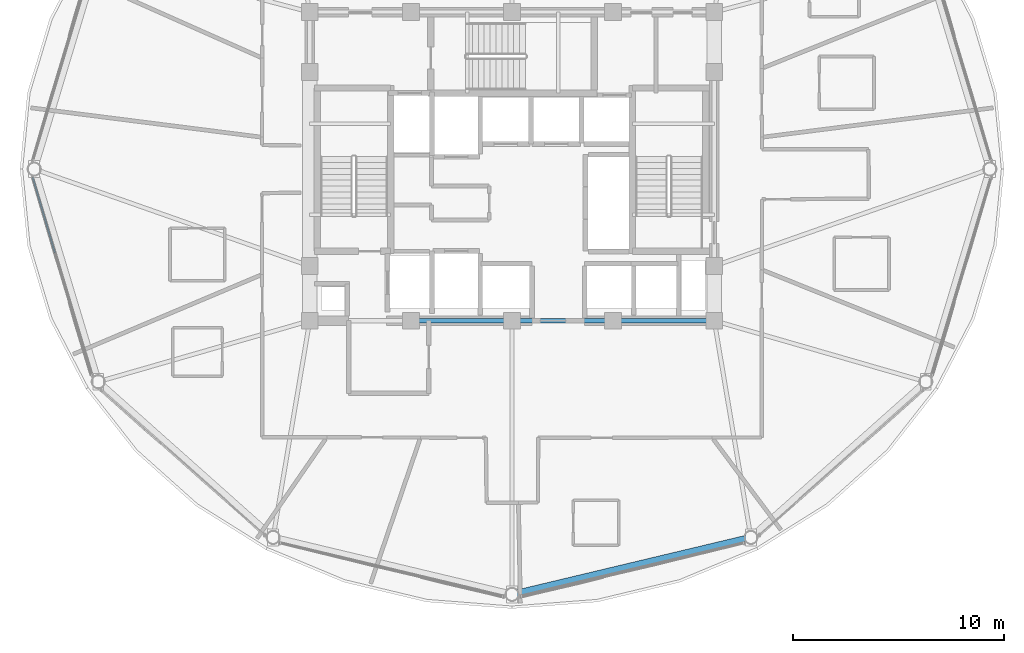
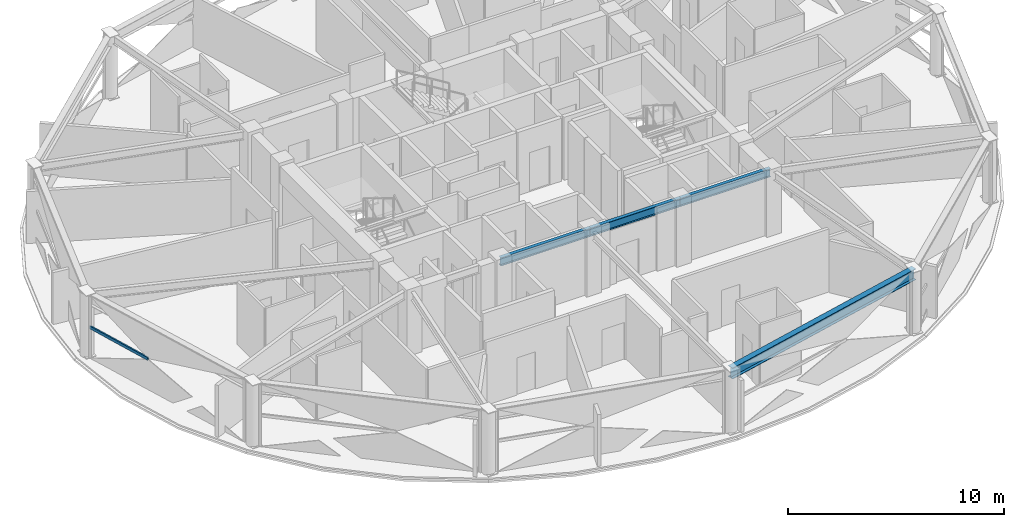
# One storey, part 6 of 30: 4 beams, 1 member, 1 element without a shape of its own.
"""IFC4 building model written with IfcOpenShell, lengths in metres."""

from ifc_helpers import new_model, si_unit, direction, frame, origin, origin_2d, place, context, subcontext, project, spatial, hollow_rectangle, i_section, extrude, material, layer, layer_set, material_profile, profile_set, type_object, element, aggregate, save


model = new_model("IFC4")

# Units and contexts
model_context = context("Model", 3, precision=1e-05, world=origin(), true_north=direction((0.0, 1.0)))
body_context = subcontext(model_context, "Body", "Model", "MODEL_VIEW")
ifc_project = project(units=[si_unit("LENGTHUNIT", "METRE"), si_unit("AREAUNIT", "SQUARE_METRE"), si_unit("VOLUMEUNIT", "CUBIC_METRE"), si_unit("PLANEANGLEUNIT", "RADIAN"), si_unit("MASSUNIT", "GRAM", prefix="KILO")], contexts=[model_context])

# Site, building, storey
site_placement = place(None, origin())
site = spatial("IfcSite", under=ifc_project, at=site_placement, CompositionType="ELEMENT")
building_placement = place(site_placement, origin())
building = spatial("IfcBuilding", under=site, at=building_placement, Name="Vantalir Tower", CompositionType="ELEMENT")
storey_placement = place(building_placement, frame((0.0, 0.0, 186.14990234375)))
storey = spatial("IfcBuildingStorey", under=building, at=storey_placement, Name="L46", CompositionType="ELEMENT", Elevation=186.14990234375)

# Beams
ifc_material_1 = material(Name="Steel S355", Category="steel")
ifc_material_profile_1 = material_profile(ifc_material_1, i_section(OverallWidth=0.19189453125, OverallDepth=0.462890625, WebThickness=0.010498046875, FlangeThickness=0.017578125, at=origin_2d()), Name="Steel S355")
ifc_profile_set_1 = profile_set([ifc_material_profile_1], Name="Steel S355")
beam_type_1 = type_object("IfcBeamType", Name="BM-RB-457x191", PredefinedType="BEAM", material=ifc_profile_set_1)
for number, where, z_axis, x_axis, name in (
    (1, (26.699951171875, 17.800048828125, 3.338134765625), (1.0, 0.0, 0.0), (0.0, 1.0, 0.0), "L46 Core Coupling Girder 02"),
    (2, (31.5, 17.800048828125, 3.338134765625), (1.0, 0.0, 0.0), (0.0, 1.0, 0.0), "L46 Core Coupling Girder 03"),
    (3, (36.300048828125, 17.800048828125, 3.338134765625), (1.0, 0.0, 0.0), (0.0, 1.0, 0.0), "L46 Core Coupling Girder 04"),
):
    element("IfcBeam", number, at=place(storey_placement, frame(where, z_axis=z_axis, x_axis=x_axis)), inside=storey, type_object=beam_type_1, Name=name, PredefinedType="BEAM", context=body_context, shape_type="SweptSolid", body=[
        extrude(i_section(OverallWidth=0.19189453125, OverallDepth=0.462890625, WebThickness=0.010498046875, FlangeThickness=0.017578125, at=origin_2d()), origin(), (0.0, 0.0, 1.0), 4.800048828125),
    ])
ifc_material_2 = material(Name="Steel S460", Category="steel")
ifc_material_profile_2 = material_profile(ifc_material_2, i_section(OverallWidth=0.306884765625, OverallDepth=0.6201171875, WebThickness=0.01416015625, FlangeThickness=0.023681640625, at=origin_2d()), Name="Steel S460")
ifc_profile_set_2 = profile_set([ifc_material_profile_2], Name="Steel S460")
beam_type_2 = type_object("IfcBeamType", Name="BM-RG-610x305", PredefinedType="USERDEFINED", material=ifc_profile_set_2)
beam_placement = place(storey_placement, frame((31.5, 4.81201171875, 3.260009765625), z_axis=(0.972698236559, 0.232073567206, 0.0), x_axis=(-0.232073567206, 0.972698236559, 0.0)))
element("IfcBeam", 4, at=beam_placement, inside=storey, type_object=beam_type_2, Name="L46 Circumferential Ring Girder 10", ObjectType="GIRDER", PredefinedType="USERDEFINED", context=body_context, shape_type="SweptSolid", body=[
    extrude(i_section(OverallWidth=0.306884765625, OverallDepth=0.6201171875, WebThickness=0.01416015625, FlangeThickness=0.023681640625, at=origin_2d()), origin(), (0.0, 0.0, 1.0), 11.656005859375),
])

# Curtain wall, member
ifc_material_3 = material(Name="Champagne-silver PVDF aluminium and double-silver Low-E glass", Category="aluminium")
ifc_layer = layer(ifc_material_3, 0.2099609375)
ifc_layer_set = layer_set([ifc_layer], Name="Champagne-silver PVDF aluminium and double-silver Low-E glass")
curtain_wall_type = type_object("IfcCurtainWallType", Name="CW-DIAMOND-Z3", PredefinedType="USERDEFINED", material=ifc_layer_set)
curtain_wall_placement = place(storey_placement, origin())
curtain_wall = element("IfcCurtainWall", 5, at=curtain_wall_placement, inside=storey, type_object=curtain_wall_type, Name="L46 Quilted Pyramid-Diamond Curtain Wall S07", ObjectType="UNITISED CURTAIN WALL", PredefinedType="USERDEFINED")
ifc_material_4 = material(Name="Champagne-silver PVDF aluminium 6063-T6", Category="aluminium")
ifc_material_profile_3 = material_profile(ifc_material_4, hollow_rectangle(XDim=0.074951171875, YDim=0.159912109375, WallThickness=0.00390625, at=origin_2d()), Name="Champagne-silver PVDF aluminium 6063-T6")
ifc_profile_set_3 = profile_set([ifc_material_profile_3], Name="Champagne-silver PVDF aluminium 6063-T6")
member_type = type_object("IfcMemberType", Name="CWT-160x75", PredefinedType="USERDEFINED", material=ifc_profile_set_3)
member_placement = place(storey_placement, frame((8.751953125, 24.60693359375, 1.78515625), z_axis=(0.281918134327, -0.959438463653, 0.0), x_axis=(0.959438463653, 0.281918134327, 0.0)))
member = element("IfcMember", 6, at=member_placement, type_object=member_type, Name="CW-L46-S07 Pyramid Fold Ridge Transom", ObjectType="TRANSOM", PredefinedType="USERDEFINED", context=body_context, shape_type="SweptSolid", body=[
    extrude(hollow_rectangle(XDim=0.074951171875, YDim=0.159912109375, WallThickness=0.00390625, at=origin_2d()), origin(), (0.0, 0.0, 1.0), 3.72802734375),
])
aggregate(curtain_wall, [member])

save(model, "model.ifc")
